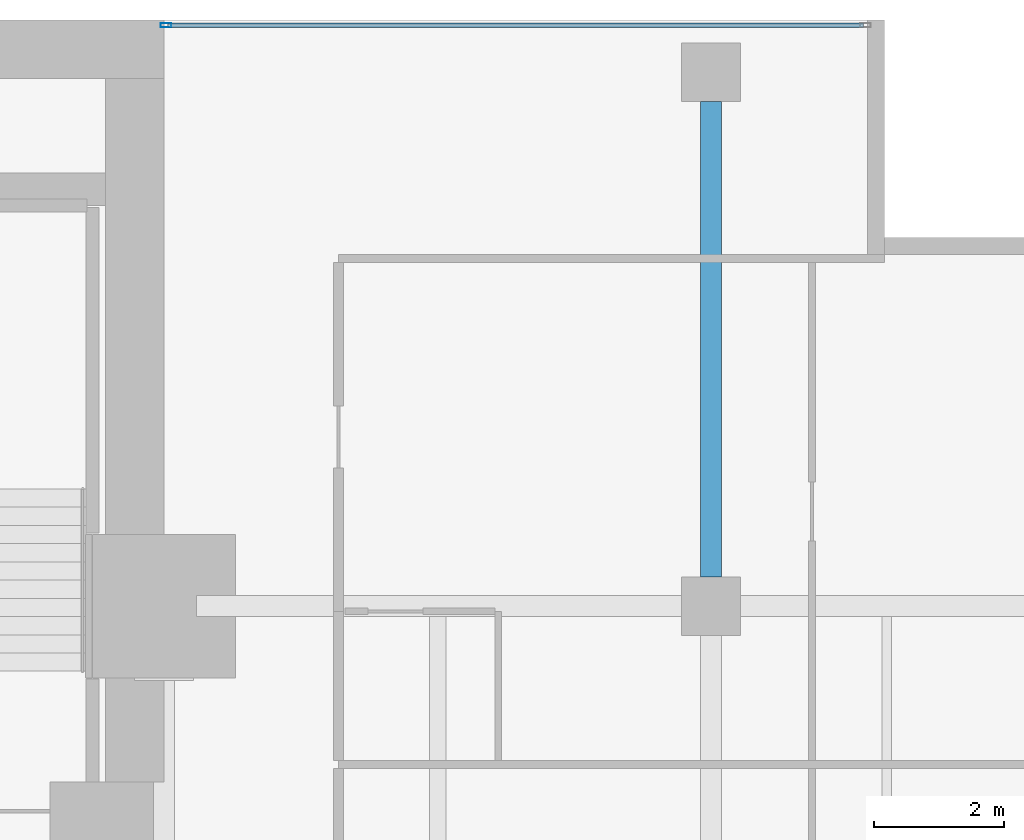
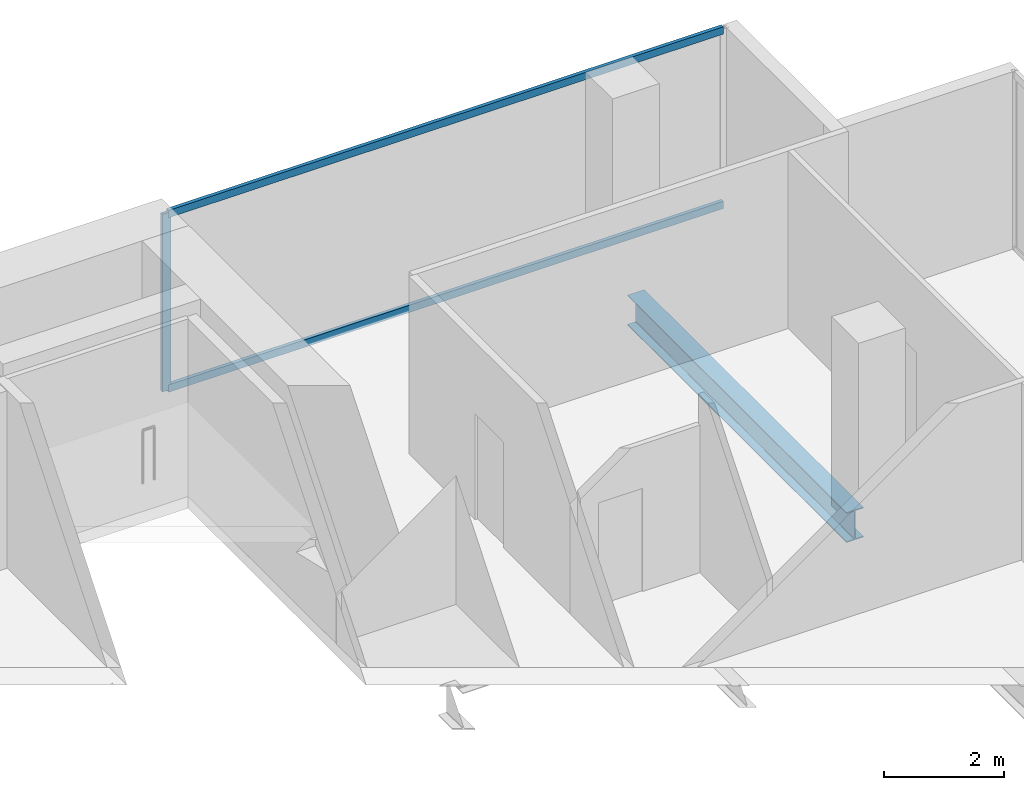
# One storey, part 30 of 40: 3 members, 1 beam, 1 element without a shape of its own.
"""IFC4 building model written with IfcOpenShell, lengths in metres."""

from ifc_helpers import new_model, si_unit, direction, frame, origin, origin_2d, place, context, subcontext, project, spatial, hollow_rectangle, i_section, extrude, material, layer, layer_set, material_profile, profile_set, type_object, element, aggregate, save


model = new_model("IFC4")

# Units and contexts
model_context = context("Model", 3, precision=1e-05, world=origin(), true_north=direction((0.0, 1.0)))
body_context = subcontext(model_context, "Body", "Model", "MODEL_VIEW")
ifc_project = project(units=[si_unit("LENGTHUNIT", "METRE"), si_unit("AREAUNIT", "SQUARE_METRE"), si_unit("VOLUMEUNIT", "CUBIC_METRE"), si_unit("PLANEANGLEUNIT", "RADIAN"), si_unit("MASSUNIT", "GRAM", prefix="KILO")], contexts=[model_context])

# Site, building, storey
site_placement = place(None, origin())
site = spatial("IfcSite", under=ifc_project, at=site_placement, CompositionType="ELEMENT")
building_placement = place(site_placement, origin())
building = spatial("IfcBuilding", under=site, at=building_placement, Name="Maruvema Waterfront Hotel and Observation Tower", CompositionType="ELEMENT")
storey_placement = place(building_placement, frame((0.0, 0.0, 96.25)))
storey = spatial("IfcBuildingStorey", under=building, at=storey_placement, Name="L23", CompositionType="ELEMENT", Elevation=96.25)

# Curtain wall, members
ifc_material_1 = material(Name="Anodised bronze aluminium and solar-control low-E IGU", Category="aluminium")
ifc_layer = layer(ifc_material_1, 0.159912109375, Name="Zone 1 Bronze Inner Thermal Curtain Wall System CW-02")
ifc_layer_set = layer_set([ifc_layer], Name="Anodised bronze aluminium and solar-control low-E IGU")
curtain_wall_type = type_object("IfcCurtainWallType", Name="Zone 1 Bronze Inner Thermal Curtain Wall System CW-02", PredefinedType="USERDEFINED", material=ifc_layer_set)
curtain_wall_placement = place(storey_placement, origin())
curtain_wall = element("IfcCurtainWall", 1, at=curtain_wall_placement, inside=storey, type_object=curtain_wall_type, Name="L23 Curtain Wall CW-L23-NE", ObjectType="UNITISED CURTAIN WALL", PredefinedType="USERDEFINED")
ifc_material_2 = material(Name="Anodised architectural bronze aluminium", Category="aluminium")
ifc_material_profile_1 = material_profile(ifc_material_2, hollow_rectangle(XDim=0.070068359375, YDim=0.14990234375, WallThickness=0.00390625, at=origin_2d()), Name="ALU-T70x150")
ifc_profile_set_1 = profile_set([ifc_material_profile_1], Name="Anodised architectural bronze aluminium")
member_type_1 = type_object("IfcMemberType", Name="Curtain Wall Horizontal Transom ALU-T70x150", PredefinedType="USERDEFINED", material=ifc_profile_set_1)
member_1_placement = place(storey_placement, frame((61.139892578125, 53.919921875, 0.030029296875), z_axis=(-1.0, 0.0, 0.0), x_axis=(0.0, -1.0, 0.0)))
member_1 = element("IfcMember", 2, at=member_1_placement, type_object=member_type_1, Name="CW-02 transom 1.1", ObjectType="TRANSOM", PredefinedType="USERDEFINED", context=body_context, shape_type="SweptSolid", body=[
    extrude(hollow_rectangle(XDim=0.070068359375, YDim=0.14990234375, WallThickness=0.00390625, at=origin_2d()), origin(), (0.0, 0.0, 1.0), 10.679931640625),
])
member_2_placement = place(storey_placement, frame((61.139892578125, 53.919921875, 3.580078125), z_axis=(-1.0, 0.0, 0.0), x_axis=(0.0, -1.0, 0.0)))
member_2 = element("IfcMember", 3, at=member_2_placement, type_object=member_type_1, Name="CW-02 transom 1.2", ObjectType="TRANSOM", PredefinedType="USERDEFINED", context=body_context, shape_type="SweptSolid", body=[
    extrude(hollow_rectangle(XDim=0.070068359375, YDim=0.14990234375, WallThickness=0.00390625, at=origin_2d()), origin(), (0.0, 0.0, 1.0), 10.679931640625),
])
ifc_material_3 = material(Name="Anodised architectural bronze aluminium", Category="aluminium")
ifc_material_profile_2 = material_profile(ifc_material_3, hollow_rectangle(XDim=0.06494140625, YDim=0.1650390625, WallThickness=0.00390625, at=origin_2d()), Name="ALU-M65x165")
ifc_profile_set_2 = profile_set([ifc_material_profile_2], Name="Anodised architectural bronze aluminium")
member_type_2 = type_object("IfcMemberType", Name="Curtain Wall Primary Mullion ALU-M65x165", PredefinedType="MULLION", material=ifc_profile_set_2)
member_3_placement = place(storey_placement, frame((50.429931640625, 53.919921875, 0.0), z_axis=(0.0, 0.0, 1.0), x_axis=(0.0, -1.0, 0.0)))
member_3 = element("IfcMember", 4, at=member_3_placement, type_object=member_type_2, Name="CW-02 mullion 2", PredefinedType="MULLION", context=body_context, shape_type="SweptSolid", body=[
    extrude(hollow_rectangle(XDim=0.06494140625, YDim=0.1650390625, WallThickness=0.00390625, at=origin_2d()), origin(), (0.0, 0.0, 1.0), 3.610107421875),
])
aggregate(curtain_wall, [member_3, member_1, member_2])

# Beam
ifc_material_4 = material(Name="Steel ASTM A572 Grade 50", Category="steel")
ifc_material_profile_3 = material_profile(ifc_material_4, i_section(OverallWidth=0.323974609375, OverallDepth=0.611083984375, WebThickness=0.0126953125, FlangeThickness=0.01904296875, FilletRadius=0.01806640625, at=origin_2d()), Name="W610x155.0")
ifc_profile_set_3 = profile_set([ifc_material_profile_3], Name="Steel ASTM A572 Grade 50")
beam_type = type_object("IfcBeamType", Name="Primary Floor Girder W610x155.0", PredefinedType="BEAM", material=ifc_profile_set_3)
beam_placement = place(storey_placement, frame((58.800048828125, 45.449951171875, -0.54541015625), z_axis=(0.0, 1.0, 0.0), x_axis=(-1.0, 0.0, 0.0)))
element("IfcBeam", 5, at=beam_placement, inside=storey, type_object=beam_type, Name="L23 Floor Girder NS-32", PredefinedType="BEAM", context=body_context, shape_type="SweptSolid", body=[
    extrude(i_section(OverallWidth=0.323974609375, OverallDepth=0.611083984375, WebThickness=0.0126953125, FlangeThickness=0.01904296875, FilletRadius=0.01806640625, at=origin_2d()), origin(), (0.0, 0.0, 1.0), 7.300048828125),
])

save(model, "model.ifc")
